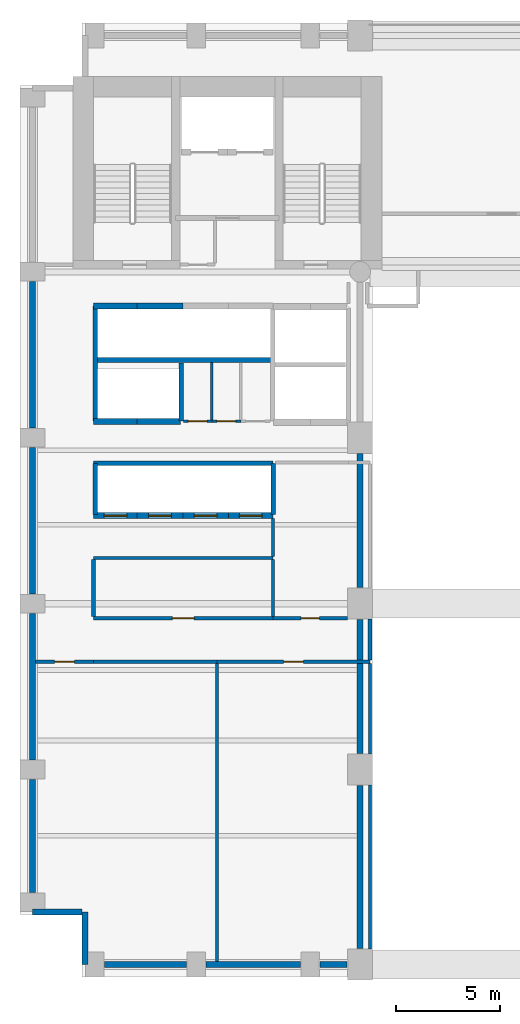
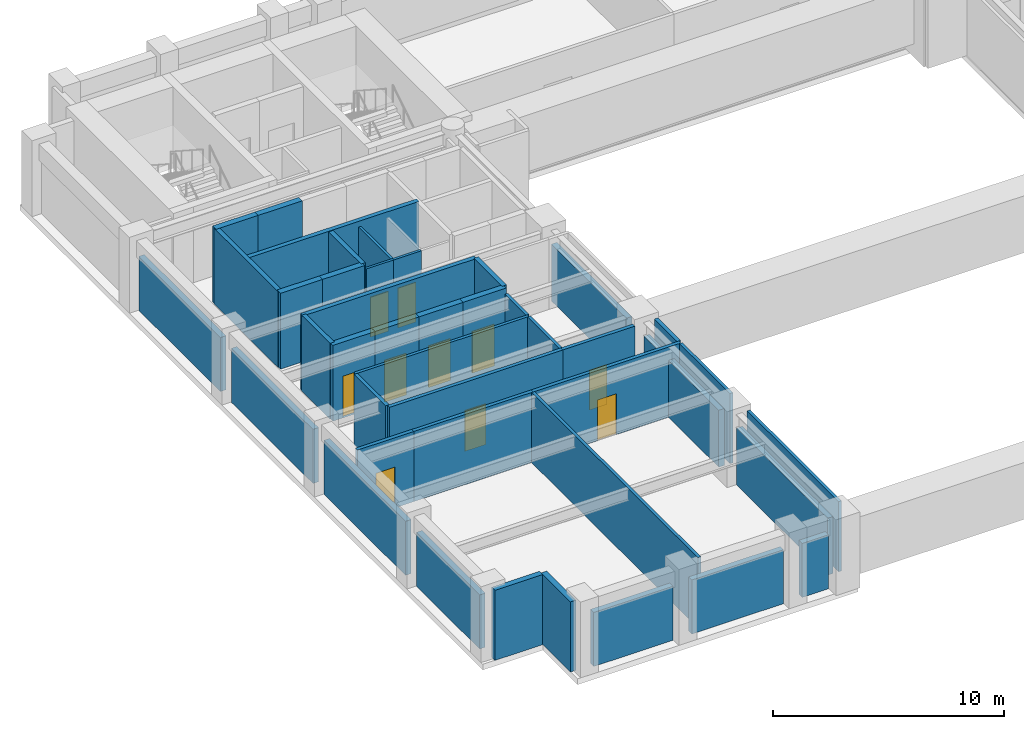
# One storey, part 2 of 8: 42 walls, 10 doors, 10 openings.
"""IFC4 building model written with IfcOpenShell, lengths in metres."""

from ifc_helpers import new_model, si_unit, direction, frame, frame_2d, origin, place, context, subcontext, project, spatial, rectangle, extrude, material, layer, layer_set, type_object, element, fill, save


model = new_model("IFC4")

# Units and contexts
model_context = context("Model", 3, precision=1e-05, world=origin(), true_north=direction((0.0, 1.0)))
body_context = subcontext(model_context, "Body", "Model", "MODEL_VIEW")
ifc_project = project(units=[si_unit("LENGTHUNIT", "METRE"), si_unit("AREAUNIT", "SQUARE_METRE"), si_unit("VOLUMEUNIT", "CUBIC_METRE"), si_unit("PLANEANGLEUNIT", "RADIAN"), si_unit("MASSUNIT", "GRAM", prefix="KILO")], contexts=[model_context])

# Site, building, storey
site_placement = place(None, origin())
site = spatial("IfcSite", under=ifc_project, at=site_placement, CompositionType="ELEMENT")
building_placement = place(site_placement, origin())
building = spatial("IfcBuilding", under=site, at=building_placement, Name="Sulina Concourse Tower", CompositionType="ELEMENT")
storey_placement = place(building_placement, frame((0.0, 0.0, 42.60009765625)))
storey = spatial("IfcBuildingStorey", under=building, at=storey_placement, Name="L10", CompositionType="ELEMENT", Elevation=42.60009765625)

# Walls
ifc_material_1 = material(Name="Concrete C50/60", Category="concrete")
ifc_layer_1 = layer(ifc_material_1, 0.219970703125)
ifc_layer_set_1 = layer_set([ifc_layer_1], Name="Concrete C50/60")
wall_type_1 = type_object("IfcWallType", Name="Core Lift Hoistway Divider Wall 220mm", PredefinedType="SOLIDWALL", material=ifc_layer_set_1)
wall_1_placement = place(storey_placement, frame((3.550048828125, 29.75, 0.0), z_axis=(0.0, 0.0, 1.0), x_axis=(1.0, 0.0, 0.0)))
element("IfcWall", 1, at=wall_1_placement, inside=storey, type_object=wall_type_1, Name="L10 shaft divider wall HW-LP3-S", PredefinedType="SOLIDWALL", context=body_context, shape_type="SweptSolid", body=[
    extrude(rectangle(XDim=8.64990234375, YDim=0.219970703125, at=frame_2d((4.324951171875, 0.0))), origin(), (0.0, 0.0, 1.0), 4.0),
])
wall_2_placement = place(storey_placement, frame((3.6298828125, 26.800048828125, 0.0), z_axis=(0.0, 0.0, 1.0), x_axis=(0.0, 1.0, 0.0)))
element("IfcWall", 2, at=wall_2_placement, inside=storey, type_object=wall_type_1, Name="L10 shaft divider wall HW-LP3-W", PredefinedType="SOLIDWALL", context=body_context, shape_type="SweptSolid", body=[
    extrude(rectangle(XDim=5.550048828125, YDim=0.219970703125, at=frame_2d((2.77490234375, 0.0))), origin(), (0.0, 0.0, 1.0), 4.0),
])
wall_3_placement = place(storey_placement, frame((7.780029296875, 26.800048828125, 0.0), z_axis=(0.0, 0.0, 1.0), x_axis=(0.0, 1.0, 0.0)))
element("IfcWall", 3, at=wall_3_placement, inside=storey, type_object=wall_type_1, Name="L10 shaft divider wall HW-EXP-E", PredefinedType="SOLIDWALL", context=body_context, shape_type="SweptSolid", body=[
    extrude(rectangle(XDim=2.800048828125, YDim=0.219970703125, at=frame_2d((1.39990234375, 0.0))), origin(), (0.0, 0.0, 1.0), 4.0),
])
wall_4_placement = place(storey_placement, frame((3.550048828125, 24.780029296875, 0.0), z_axis=(0.0, 0.0, 1.0), x_axis=(1.0, 0.0, 0.0)))
element("IfcWall", 4, at=wall_4_placement, inside=storey, type_object=wall_type_1, Name="L10 shaft divider wall HW-LP1-N", PredefinedType="SOLIDWALL", context=body_context, shape_type="SweptSolid", body=[
    extrude(rectangle(XDim=8.64990234375, YDim=0.219970703125, at=frame_2d((4.324951171875, 0.0))), origin(), (0.0, 0.0, 1.0), 4.0),
])
for number, where, z_axis, x_axis, name in (
    (5, (3.6298828125, 22.300048828125, 0.0), (0.0, 0.0, 1.0), (0.0, 1.0, 0.0), "L10 shaft divider wall HW-LP1-W"),
    (6, (12.219970703125, 22.300048828125, 0.0), (0.0, 0.0, 1.0), (0.0, 1.0, 0.0), "L10 shaft divider wall HW-LP1-E"),
):
    element("IfcWall", number, at=place(storey_placement, frame(where, z_axis=z_axis, x_axis=x_axis)), inside=storey, type_object=wall_type_1, Name=name, PredefinedType="SOLIDWALL", context=body_context, shape_type="SweptSolid", body=[
        extrude(rectangle(XDim=2.449951171875, YDim=0.219970703125, at=frame_2d((1.22509765625, 0.0))), origin(), (0.0, 0.0, 1.0), 4.0),
    ])

# Wall, opening, door
ifc_material_2 = material(Name="Concrete C50/60", Category="concrete")
ifc_layer_2 = layer(ifc_material_2, 0.300048828125)
ifc_layer_set_2 = layer_set([ifc_layer_2], Name="Concrete C50/60")
wall_type_2 = type_object("IfcWallType", Name="Core Lift Hoistway Wall 300mm", PredefinedType="SOLIDWALL", material=ifc_layer_set_2)
wall_5_placement = place(storey_placement, frame((5.64990234375, 22.25, 0.0), z_axis=(0.0, 0.0, 1.0), x_axis=(-1.0, 0.0, 0.0)))
wall_5 = element("IfcWall", 7, at=wall_5_placement, inside=storey, type_object=wall_type_2, Name="L10 hoistway enclosure wall LP-01", PredefinedType="SOLIDWALL", context=body_context, shape_type="SweptSolid", body=[
    extrude(rectangle(XDim=2.099853515625, YDim=0.300048828125, at=frame_2d((1.0498046875, 0.0))), origin(), (0.0, 0.0, 1.0), 4.0),
])
opening_1_placement = place(wall_5_placement, frame((0.5, 0.0, 0.0)))
opening_1 = element("IfcOpeningElement", 8, at=opening_1_placement, cuts=wall_5, Name="Opening LD-01", PredefinedType="OPENING", context=body_context, shape_type="SweptSolid", body=[
    extrude(rectangle(XDim=1.10009765625, YDim=2.199951171875, at=frame_2d((0.550048828125, 1.10009765625))), frame((0.0, 0.159912109375, 0.0), z_axis=(0.0, -1.0, 0.0), x_axis=(1.0, 0.0, 0.0)), (0.0, 0.0, 1.0), 0.320068359375),
])
ifc_material_3 = material(Name="Stainless steel lift landing door", Category="steel")
ifc_layer_3 = layer(ifc_material_3, 0.050048828125)
ifc_layer_set_3 = layer_set([ifc_layer_3], Name="Stainless steel lift landing door")
door_type_1 = type_object("IfcDoorType", Name="Passenger Lift Sliding Landing Door 1100x2200", OperationType="SLIDING_TO_LEFT", PredefinedType="DOOR", material=ifc_layer_set_3)
door_1_placement = place(opening_1_placement, origin())
door_1 = element("IfcDoor", 9, at=door_1_placement, inside=storey, type_object=door_type_1, Name="L10 lift landing sliding door LP-01", OperationType="SLIDING_TO_LEFT", OverallHeight=2.199951171875, OverallWidth=1.10009765625, PredefinedType="DOOR", context=body_context, shape_type="SweptSolid", body=[
    extrude(rectangle(XDim=1.10009765625, YDim=2.199951171875, at=frame_2d((0.550048828125, 1.10009765625))), frame((0.0, 0.02490234375, 0.0), z_axis=(0.0, -1.0, 0.0), x_axis=(1.0, 0.0, 0.0)), (0.0, 0.0, 1.0), 0.050048828125),
])
fill(opening_1, door_1)

wall_6_placement = place(storey_placement, frame((7.85009765625, 22.25, 0.0), z_axis=(0.0, 0.0, 1.0), x_axis=(-1.0, 0.0, 0.0)))
wall_6 = element("IfcWall", 10, at=wall_6_placement, inside=storey, type_object=wall_type_2, Name="L10 hoistway enclosure wall LP-02", PredefinedType="SOLIDWALL", context=body_context, shape_type="SweptSolid", body=[
    extrude(rectangle(XDim=2.2001953125, YDim=0.300048828125, at=frame_2d((1.10009765625, 0.0))), origin(), (0.0, 0.0, 1.0), 4.0),
])
opening_2_placement = place(wall_6_placement, frame((0.550048828125, 0.0, 0.0)))
opening_2 = element("IfcOpeningElement", 11, at=opening_2_placement, cuts=wall_6, Name="Opening LD-01", PredefinedType="OPENING", context=body_context, shape_type="SweptSolid", body=[
    extrude(rectangle(XDim=1.10009765625, YDim=2.199951171875, at=frame_2d((0.550048828125, 1.10009765625))), frame((0.0, 0.159912109375, 0.0), z_axis=(0.0, -1.0, 0.0), x_axis=(1.0, 0.0, 0.0)), (0.0, 0.0, 1.0), 0.320068359375),
])
door_2_placement = place(opening_2_placement, origin())
door_2 = element("IfcDoor", 12, at=door_2_placement, inside=storey, type_object=door_type_1, Name="L10 lift landing sliding door LP-02", OperationType="SLIDING_TO_RIGHT", OverallHeight=2.199951171875, OverallWidth=1.10009765625, PredefinedType="DOOR", context=body_context, shape_type="SweptSolid", body=[
    extrude(rectangle(XDim=1.10009765625, YDim=2.199951171875, at=frame_2d((0.550048828125, 1.10009765625))), frame((0.0, 0.02490234375, 0.0), z_axis=(0.0, -1.0, 0.0), x_axis=(1.0, 0.0, 0.0)), (0.0, 0.0, 1.0), 0.050048828125),
])
fill(opening_2, door_2)

wall_7_placement = place(storey_placement, frame((10.050048828125, 22.25, 0.0), z_axis=(0.0, 0.0, 1.0), x_axis=(-1.0, 0.0, 0.0)))
wall_7 = element("IfcWall", 13, at=wall_7_placement, inside=storey, type_object=wall_type_2, Name="L10 hoistway enclosure wall LP-03", PredefinedType="SOLIDWALL", context=body_context, shape_type="SweptSolid", body=[
    extrude(rectangle(XDim=2.199951171875, YDim=0.300048828125, at=frame_2d((1.10009765625, 0.0))), origin(), (0.0, 0.0, 1.0), 4.0),
])
opening_3_placement = place(wall_7_placement, frame((0.550048828125, 0.0, 0.0)))
opening_3 = element("IfcOpeningElement", 14, at=opening_3_placement, cuts=wall_7, Name="Opening LD-01", PredefinedType="OPENING", context=body_context, shape_type="SweptSolid", body=[
    extrude(rectangle(XDim=1.10009765625, YDim=2.199951171875, at=frame_2d((0.550048828125, 1.10009765625))), frame((0.0, 0.159912109375, 0.0), z_axis=(0.0, -1.0, 0.0), x_axis=(1.0, 0.0, 0.0)), (0.0, 0.0, 1.0), 0.320068359375),
])
door_3_placement = place(opening_3_placement, origin())
door_3 = element("IfcDoor", 15, at=door_3_placement, inside=storey, type_object=door_type_1, Name="L10 lift landing sliding door LP-03", OperationType="SLIDING_TO_LEFT", OverallHeight=2.199951171875, OverallWidth=1.10009765625, PredefinedType="DOOR", context=body_context, shape_type="SweptSolid", body=[
    extrude(rectangle(XDim=1.10009765625, YDim=2.199951171875, at=frame_2d((0.550048828125, 1.10009765625))), frame((0.0, 0.02490234375, 0.0), z_axis=(0.0, -1.0, 0.0), x_axis=(1.0, 0.0, 0.0)), (0.0, 0.0, 1.0), 0.050048828125),
])
fill(opening_3, door_3)

wall_8_placement = place(storey_placement, frame((12.199951171875, 22.25, 0.0), z_axis=(0.0, 0.0, 1.0), x_axis=(-1.0, 0.0, 0.0)))
wall_8 = element("IfcWall", 16, at=wall_8_placement, inside=storey, type_object=wall_type_2, Name="L10 hoistway enclosure wall LP-04", PredefinedType="SOLIDWALL", context=body_context, shape_type="SweptSolid", body=[
    extrude(rectangle(XDim=2.14990234375, YDim=0.300048828125, at=frame_2d((1.074951171875, 0.0))), origin(), (0.0, 0.0, 1.0), 4.0),
])
opening_4_placement = place(wall_8_placement, frame((0.52490234375, 0.0, 0.0)))
opening_4 = element("IfcOpeningElement", 17, at=opening_4_placement, cuts=wall_8, Name="Opening LD-01", PredefinedType="OPENING", context=body_context, shape_type="SweptSolid", body=[
    extrude(rectangle(XDim=1.10009765625, YDim=2.199951171875, at=frame_2d((0.550048828125, 1.10009765625))), frame((0.0, 0.159912109375, 0.0), z_axis=(0.0, -1.0, 0.0), x_axis=(1.0, 0.0, 0.0)), (0.0, 0.0, 1.0), 0.320068359375),
])
door_4_placement = place(opening_4_placement, origin())
door_4 = element("IfcDoor", 18, at=door_4_placement, inside=storey, type_object=door_type_1, Name="L10 lift landing sliding door LP-04", OperationType="SLIDING_TO_RIGHT", OverallHeight=2.199951171875, OverallWidth=1.10009765625, PredefinedType="DOOR", context=body_context, shape_type="SweptSolid", body=[
    extrude(rectangle(XDim=1.10009765625, YDim=2.199951171875, at=frame_2d((0.550048828125, 1.10009765625))), frame((0.0, 0.02490234375, 0.0), z_axis=(0.0, -1.0, 0.0), x_axis=(1.0, 0.0, 0.0)), (0.0, 0.0, 1.0), 0.050048828125),
])
fill(opening_4, door_4)

# Walls
wall_9_placement = place(storey_placement, frame((3.550048828125, 32.35009765625, 0.0), z_axis=(0.0, 0.0, 1.0), x_axis=(1.0, 0.0, 0.0)))
element("IfcWall", 19, at=wall_9_placement, inside=storey, type_object=wall_type_2, Name="L10 hoistway enclosure wall LP-09", PredefinedType="SOLIDWALL", context=body_context, shape_type="SweptSolid", body=[
    extrude(rectangle(XDim=2.099853515625, YDim=0.300048828125, at=frame_2d((1.0498046875, 0.0))), origin(), (0.0, 0.0, 1.0), 4.0),
])
wall_10_placement = place(storey_placement, frame((5.64990234375, 32.35009765625, 0.0), z_axis=(0.0, 0.0, 1.0), x_axis=(1.0, 0.0, 0.0)))
element("IfcWall", 20, at=wall_10_placement, inside=storey, type_object=wall_type_2, Name="L10 hoistway enclosure wall LP-10", PredefinedType="SOLIDWALL", context=body_context, shape_type="SweptSolid", body=[
    extrude(rectangle(XDim=2.2001953125, YDim=0.300048828125, at=frame_2d((1.10009765625, 0.0))), origin(), (0.0, 0.0, 1.0), 4.0),
])
wall_11_placement = place(storey_placement, frame((5.64990234375, 26.780029296875, 0.0), z_axis=(0.0, 0.0, 1.0), x_axis=(-1.0, 0.0, 0.0)))
element("IfcWall", 21, at=wall_11_placement, inside=storey, type_object=wall_type_2, Name="L10 hoistway enclosure wall EXP-1", PredefinedType="SOLIDWALL", context=body_context, shape_type="SweptSolid", body=[
    extrude(rectangle(XDim=2.099853515625, YDim=0.300048828125, at=frame_2d((1.0498046875, 0.0))), origin(), (0.0, 0.0, 1.0), 4.0),
])
wall_12_placement = place(storey_placement, frame((7.75, 26.780029296875, 0.0), z_axis=(0.0, 0.0, 1.0), x_axis=(-1.0, 0.0, 0.0)))
element("IfcWall", 22, at=wall_12_placement, inside=storey, type_object=wall_type_2, Name="L10 hoistway enclosure wall EXP-2", PredefinedType="SOLIDWALL", context=body_context, shape_type="SweptSolid", body=[
    extrude(rectangle(XDim=2.10009765625, YDim=0.300048828125, at=frame_2d((1.050048828125, 0.0))), origin(), (0.0, 0.0, 1.0), 4.0),
])
ifc_material_4 = material(Name="Gypsum board on steel stud", Category="steel")
ifc_layer_4 = layer(ifc_material_4, 0.14990234375)
ifc_layer_set_4 = layer_set([ifc_layer_4], Name="Gypsum board on steel stud")
wall_type_3 = type_object("IfcWallType", Name="Inter-Tenancy Acoustic Partition 150mm", PredefinedType="PARTITIONING", material=ifc_layer_set_4)
wall_13_placement = place(storey_placement, frame((3.550048828125, 20.199951171875, 0.0), z_axis=(0.0, 0.0, 1.0), x_axis=(1.0, 0.0, 0.0)))
element("IfcWall", 23, at=wall_13_placement, inside=storey, type_object=wall_type_3, Name="L10 interior partition 009", PredefinedType="PARTITIONING", context=body_context, shape_type="SweptSolid", body=[
    extrude(rectangle(XDim=8.64990234375, YDim=0.14990234375, at=frame_2d((4.324951171875, 0.0))), origin(), (0.0, 0.0, 1.0), 3.699951171875),
])
wall_14_placement = place(storey_placement, frame((9.5, 0.739990234375, 0.0), z_axis=(0.0, 0.0, 1.0), x_axis=(0.0, 1.0, 0.0)))
element("IfcWall", 24, at=wall_14_placement, inside=storey, type_object=wall_type_3, Name="L10 interior partition 029", PredefinedType="PARTITIONING", context=body_context, shape_type="SweptSolid", body=[
    extrude(rectangle(XDim=14.3701171875, YDim=0.14990234375, at=frame_2d((7.18505859375, 0.0))), origin(), (0.0, 0.0, 1.0), 3.699951171875),
])
wall_15_placement = place(storey_placement, frame((12.199951171875, 17.389892578125, 0.0), z_axis=(0.0, 0.0, 1.0), x_axis=(0.0, 1.0, 0.0)))
element("IfcWall", 25, at=wall_15_placement, inside=storey, type_object=wall_type_3, Name="L10 interior partition 031", PredefinedType="PARTITIONING", context=body_context, shape_type="SweptSolid", body=[
    extrude(rectangle(XDim=2.735107421875, YDim=0.14990234375, at=frame_2d((1.36767578125, 0.0))), origin(), (0.0, 0.0, 1.0), 3.699951171875),
])
wall_16_placement = place(storey_placement, frame((12.199951171875, 20.27490234375, 0.0), z_axis=(0.0, 0.0, 1.0), x_axis=(0.0, 1.0, 0.0)))
element("IfcWall", 26, at=wall_16_placement, inside=storey, type_object=wall_type_3, Name="L10 interior partition 032", PredefinedType="PARTITIONING", context=body_context, shape_type="SweptSolid", body=[
    extrude(rectangle(XDim=1.8251953125, YDim=0.14990234375, at=frame_2d((0.91259765625, 0.0))), origin(), (0.0, 0.0, 1.0), 3.699951171875),
])
wall_17_placement = place(storey_placement, frame((16.8798828125, 1.35009765625, 0.0), z_axis=(0.0, 0.0, 1.0), x_axis=(0.0, 1.0, 0.0)))
element("IfcWall", 27, at=wall_17_placement, inside=storey, type_object=wall_type_3, Name="L10 interior partition 035", PredefinedType="PARTITIONING", context=body_context, shape_type="SweptSolid", body=[
    extrude(rectangle(XDim=7.89990234375, YDim=0.14990234375, at=frame_2d((3.949951171875, 0.0))), origin(), (0.0, 0.0, 1.0), 3.699951171875),
])
wall_18_placement = place(storey_placement, frame((16.8798828125, 10.75, 0.0), z_axis=(0.0, 0.0, 1.0), x_axis=(0.0, 1.0, 0.0)))
element("IfcWall", 28, at=wall_18_placement, inside=storey, type_object=wall_type_3, Name="L10 interior partition 036", PredefinedType="PARTITIONING", context=body_context, shape_type="SweptSolid", body=[
    extrude(rectangle(XDim=4.360107421875, YDim=0.14990234375, at=frame_2d((2.18017578125, 0.0))), origin(), (0.0, 0.0, 1.0), 3.699951171875),
])

# Wall, opening, door
ifc_material_5 = material(Name="Gypsum board on steel stud", Category="steel")
ifc_layer_5 = layer(ifc_material_5, 0.179931640625)
ifc_layer_set_5 = layer_set([ifc_layer_5], Name="Gypsum board on steel stud")
wall_type_4 = type_object("IfcWallType", Name="Protected Corridor & Riser Partition 180mm", PredefinedType="PARTITIONING", material=ifc_layer_set_5)
wall_19_placement = place(storey_placement, frame((0.739990234375, 15.199951171875, 0.0), z_axis=(0.0, 0.0, 1.0), x_axis=(1.0, 0.0, 0.0)))
wall_19 = element("IfcWall", 29, at=wall_19_placement, inside=storey, type_object=wall_type_4, Name="L10 interior partition 003", PredefinedType="PARTITIONING", context=body_context, shape_type="SweptSolid", body=[
    extrude(rectangle(XDim=2.81005859375, YDim=0.179931640625, at=frame_2d((1.405029296875, 0.0))), origin(), (0.0, 0.0, 1.0), 3.699951171875),
])
opening_5_placement = place(wall_19_placement, frame((0.929931640625, 0.0, 0.0)))
opening_5 = element("IfcOpeningElement", 30, at=opening_5_placement, cuts=wall_19, Name="Opening DR-19", PredefinedType="OPENING", context=body_context, shape_type="SweptSolid", body=[
    extrude(rectangle(XDim=0.949951171875, YDim=2.14990234375, at=frame_2d((0.47509765625, 1.074951171875))), frame((0.0, 0.099853515625, 0.0), z_axis=(0.0, -1.0, 0.0), x_axis=(1.0, 0.0, 0.0)), (0.0, 0.0, 1.0), 0.199951171875),
])
ifc_material_6 = material(Name="Oak-veneered acoustic timber leaf", Category="wood")
ifc_layer_6 = layer(ifc_material_6, 0.050048828125)
ifc_layer_set_6 = layer_set([ifc_layer_6], Name="Oak-veneered acoustic timber leaf")
door_type_2 = type_object("IfcDoorType", Name="Cellular Office & Meeting Door 950x2150", OperationType="NOTDEFINED", PredefinedType="DOOR", material=ifc_layer_set_6)
door_5_placement = place(opening_5_placement, origin())
door_5 = element("IfcDoor", 31, at=door_5_placement, inside=storey, type_object=door_type_2, Name="L10 interior door L10-OFF-W1", OperationType="SINGLE_SWING_LEFT", OverallHeight=2.14990234375, OverallWidth=0.949951171875, PredefinedType="DOOR", context=body_context, shape_type="SweptSolid", body=[
    extrude(rectangle(XDim=0.949951171875, YDim=2.14990234375, at=frame_2d((0.47509765625, 1.074951171875))), frame((0.0, 0.02490234375, 0.0), z_axis=(0.0, -1.0, 0.0), x_axis=(1.0, 0.0, 0.0)), (0.0, 0.0, 1.0), 0.050048828125),
])
fill(opening_5, door_5)

# Wall
wall_20_placement = place(storey_placement, frame((3.550048828125, 15.199951171875, 0.0), z_axis=(0.0, 0.0, 1.0), x_axis=(1.0, 0.0, 0.0)))
element("IfcWall", 32, at=wall_20_placement, inside=storey, type_object=wall_type_4, Name="L10 interior partition 004", PredefinedType="PARTITIONING", context=body_context, shape_type="SweptSolid", body=[
    extrude(rectangle(XDim=5.949951171875, YDim=0.179931640625, at=frame_2d((2.97509765625, 0.0))), origin(), (0.0, 0.0, 1.0), 3.699951171875),
])

# Wall, opening, door
wall_21_placement = place(storey_placement, frame((9.5, 15.199951171875, 0.0), z_axis=(0.0, 0.0, 1.0), x_axis=(1.0, 0.0, 0.0)))
wall_21 = element("IfcWall", 33, at=wall_21_placement, inside=storey, type_object=wall_type_4, Name="L10 interior partition 005", PredefinedType="PARTITIONING", context=body_context, shape_type="SweptSolid", body=[
    extrude(rectangle(XDim=7.3798828125, YDim=0.179931640625, at=frame_2d((3.68994140625, 0.0))), origin(), (0.0, 0.0, 1.0), 3.699951171875),
])
opening_6_placement = place(wall_21_placement, frame((3.215087890625, 0.0, 0.0)))
opening_6 = element("IfcOpeningElement", 34, at=opening_6_placement, cuts=wall_21, Name="Opening DR-19", PredefinedType="OPENING", context=body_context, shape_type="SweptSolid", body=[
    extrude(rectangle(XDim=0.949951171875, YDim=2.14990234375, at=frame_2d((0.47509765625, 1.074951171875))), frame((0.0, 0.099853515625, 0.0), z_axis=(0.0, -1.0, 0.0), x_axis=(1.0, 0.0, 0.0)), (0.0, 0.0, 1.0), 0.199951171875),
])
door_6_placement = place(opening_6_placement, origin())
door_6 = element("IfcDoor", 35, at=door_6_placement, inside=storey, type_object=door_type_2, Name="L10 interior door L10-MTG-W1", OperationType="SINGLE_SWING_RIGHT", OverallHeight=2.14990234375, OverallWidth=0.949951171875, PredefinedType="DOOR", context=body_context, shape_type="SweptSolid", body=[
    extrude(rectangle(XDim=0.949951171875, YDim=2.14990234375, at=frame_2d((0.47509765625, 1.074951171875))), frame((0.0, 0.02490234375, 0.0), z_axis=(0.0, -1.0, 0.0), x_axis=(1.0, 0.0, 0.0)), (0.0, 0.0, 1.0), 0.050048828125),
])
fill(opening_6, door_6)

wall_22_placement = place(storey_placement, frame((3.550048828125, 17.300048828125, 0.0), z_axis=(0.0, 0.0, 1.0), x_axis=(1.0, 0.0, 0.0)))
wall_22 = element("IfcWall", 36, at=wall_22_placement, inside=storey, type_object=wall_type_4, Name="L10 interior partition 006", PredefinedType="PARTITIONING", context=body_context, shape_type="SweptSolid", body=[
    extrude(rectangle(XDim=8.64990234375, YDim=0.179931640625, at=frame_2d((4.324951171875, 0.0))), origin(), (0.0, 0.0, 1.0), 3.699951171875),
])
opening_7_placement = place(wall_22_placement, frame((3.800048828125, 0.0, 0.0)))
opening_7 = element("IfcOpeningElement", 37, at=opening_7_placement, cuts=wall_22, Name="Opening DR-37", PredefinedType="OPENING", context=body_context, shape_type="SweptSolid", body=[
    extrude(rectangle(XDim=1.050048828125, YDim=2.14990234375, at=frame_2d((0.52490234375, 1.074951171875))), frame((0.0, 0.099853515625, 0.0), z_axis=(0.0, -1.0, 0.0), x_axis=(1.0, 0.0, 0.0)), (0.0, 0.0, 1.0), 0.199951171875),
])
ifc_material_7 = material(Name="Oak-veneered fire door leaf")
ifc_layer_7 = layer(ifc_material_7, 0.050048828125)
ifc_layer_set_7 = layer_set([ifc_layer_7], Name="Oak-veneered fire door leaf")
door_type_3 = type_object("IfcDoorType", Name="Tenant Suite Entrance Fire Door 1050x2150", OperationType="NOTDEFINED", PredefinedType="DOOR", material=ifc_layer_set_7)
door_7_placement = place(opening_7_placement, origin())
door_7 = element("IfcDoor", 38, at=door_7_placement, inside=storey, type_object=door_type_3, Name="L10 interior door L10-PNT-W0", OperationType="SINGLE_SWING_LEFT", OverallHeight=2.14990234375, OverallWidth=1.050048828125, PredefinedType="DOOR", context=body_context, shape_type="SweptSolid", body=[
    extrude(rectangle(XDim=1.050048828125, YDim=2.14990234375, at=frame_2d((0.52490234375, 1.074951171875))), frame((0.0, 0.02490234375, 0.0), z_axis=(0.0, -1.0, 0.0), x_axis=(1.0, 0.0, 0.0)), (0.0, 0.0, 1.0), 0.050048828125),
])
fill(opening_7, door_7)

wall_23_placement = place(storey_placement, frame((12.199951171875, 17.300048828125, 0.0), z_axis=(0.0, 0.0, 1.0), x_axis=(1.0, 0.0, 0.0)))
wall_23 = element("IfcWall", 39, at=wall_23_placement, inside=storey, type_object=wall_type_4, Name="L10 interior partition 007", PredefinedType="PARTITIONING", context=body_context, shape_type="SweptSolid", body=[
    extrude(rectangle(XDim=3.60009765625, YDim=0.179931640625, at=frame_2d((1.800048828125, 0.0))), origin(), (0.0, 0.0, 1.0), 3.699951171875),
])
opening_8_placement = place(wall_23_placement, frame((1.360107421875, 0.0, 0.0)))
opening_8 = element("IfcOpeningElement", 40, at=opening_8_placement, cuts=wall_23, Name="Opening DR-38", PredefinedType="OPENING", context=body_context, shape_type="SweptSolid", body=[
    extrude(rectangle(XDim=0.8798828125, YDim=2.10009765625, at=frame_2d((0.43994140625, 1.050048828125))), frame((0.0, 0.099853515625, 0.0), z_axis=(0.0, -1.0, 0.0), x_axis=(1.0, 0.0, 0.0)), (0.0, 0.0, 1.0), 0.199951171875),
])
ifc_material_8 = material(Name="Galvanised steel acoustic fire leaf", Category="steel")
ifc_layer_8 = layer(ifc_material_8, 0.050048828125)
ifc_layer_set_8 = layer_set([ifc_layer_8], Name="Galvanised steel acoustic fire leaf")
door_type_4 = type_object("IfcDoorType", Name="Service Riser Fire Door 880x2100", OperationType="NOTDEFINED", PredefinedType="DOOR", material=ifc_layer_set_8)
door_8_placement = place(opening_8_placement, origin())
door_8 = element("IfcDoor", 41, at=door_8_placement, inside=storey, type_object=door_type_4, Name="L10 interior door L10-STR-W0", OperationType="SINGLE_SWING_RIGHT", OverallHeight=2.10009765625, OverallWidth=0.8798828125, PredefinedType="DOOR", context=body_context, shape_type="SweptSolid", body=[
    extrude(rectangle(XDim=0.8798828125, YDim=2.10009765625, at=frame_2d((0.43994140625, 1.050048828125))), frame((0.0, 0.02490234375, 0.0), z_axis=(0.0, -1.0, 0.0), x_axis=(1.0, 0.0, 0.0)), (0.0, 0.0, 1.0), 0.050048828125),
])
fill(opening_8, door_8)

# Walls
wall_24_placement = place(storey_placement, frame((3.550048828125, 17.389892578125, 0.0), z_axis=(0.0, 0.0, 1.0), x_axis=(0.0, 1.0, 0.0)))
element("IfcWall", 42, at=wall_24_placement, inside=storey, type_object=wall_type_4, Name="L10 interior partition 026", PredefinedType="PARTITIONING", context=body_context, shape_type="SweptSolid", body=[
    extrude(rectangle(XDim=2.735107421875, YDim=0.179931640625, at=frame_2d((1.36767578125, 0.0))), origin(), (0.0, 0.0, 1.0), 3.699951171875),
])
wall_25_placement = place(storey_placement, frame((16.8798828125, 15.2900390625, 0.0), z_axis=(0.0, 0.0, 1.0), x_axis=(0.0, 1.0, 0.0)))
element("IfcWall", 43, at=wall_25_placement, inside=storey, type_object=wall_type_4, Name="L10 interior partition 037", PredefinedType="PARTITIONING", context=body_context, shape_type="SweptSolid", body=[
    extrude(rectangle(XDim=1.9599609375, YDim=0.179931640625, at=frame_2d((0.97998046875, 0.0))), origin(), (0.0, 0.0, 1.0), 3.699951171875),
])
ifc_material_9 = material(Name="Precast concrete C50/60", Category="concrete")
ifc_layer_9 = layer(ifc_material_9, 0.280029296875)
ifc_layer_set_9 = layer_set([ifc_layer_9], Name="Precast concrete C50/60")
wall_type_5 = type_object("IfcWallType", Name="Typical Precast Masonry-Frame Facade Wall 280mm", PredefinedType="SOLIDWALL", material=ifc_layer_set_9)
wall_26_placement = place(storey_placement, frame((8.030029296875, 0.60009765625, 0.0), z_axis=(0.0, 0.0, 1.0), x_axis=(-1.0, 0.0, 0.0)))
element("IfcWall", 44, at=wall_26_placement, inside=storey, type_object=wall_type_5, Name="L10 exterior precast wall S1", PredefinedType="SOLIDWALL", context=body_context, shape_type="SweptSolid", body=[
    extrude(rectangle(XDim=3.9599609375, YDim=0.280029296875, at=frame_2d((1.97998046875, 0.0))), origin(), (0.0, 0.0, 1.0), 2.849853515625),
])
wall_27_placement = place(storey_placement, frame((13.530029296875, 0.60009765625, 0.0), z_axis=(0.0, 0.0, 1.0), x_axis=(-1.0, 0.0, 0.0)))
element("IfcWall", 45, at=wall_27_placement, inside=storey, type_object=wall_type_5, Name="L10 exterior precast wall S2", PredefinedType="SOLIDWALL", context=body_context, shape_type="SweptSolid", body=[
    extrude(rectangle(XDim=4.56005859375, YDim=0.280029296875, at=frame_2d((2.280029296875, 0.0))), origin(), (0.0, 0.0, 1.0), 2.849853515625),
])
wall_28_placement = place(storey_placement, frame((15.780029296875, 0.60009765625, 0.0), z_axis=(0.0, 0.0, 1.0), x_axis=(-1.0, 0.0, 0.0)))
element("IfcWall", 46, at=wall_28_placement, inside=storey, type_object=wall_type_5, Name="L10 exterior precast wall S3", PredefinedType="SOLIDWALL", context=body_context, shape_type="SweptSolid", body=[
    extrude(rectangle(XDim=1.31005859375, YDim=0.280029296875, at=frame_2d((0.655029296875, 0.0))), origin(), (0.0, 0.0, 1.0), 2.849853515625),
])
wall_29_placement = place(storey_placement, frame((0.60009765625, 4.070068359375, 0.0), z_axis=(0.0, 0.0, 1.0), x_axis=(0.0, 1.0, 0.0)))
element("IfcWall", 47, at=wall_29_placement, inside=storey, type_object=wall_type_5, Name="L10 exterior precast wall W1", PredefinedType="SOLIDWALL", context=body_context, shape_type="SweptSolid", body=[
    extrude(rectangle(XDim=5.4599609375, YDim=0.280029296875, at=frame_2d((2.72998046875, 0.0))), origin(), (0.0, 0.0, 1.0), 2.849853515625),
])
for number, where, z_axis, x_axis, name in (
    (48, (0.60009765625, 10.469970703125, 0.0), (0.0, 0.0, 1.0), (0.0, 1.0, 0.0), "L10 exterior precast wall W2"),
    (49, (0.60009765625, 18.469970703125, 0.0), (0.0, 0.0, 1.0), (0.0, 1.0, 0.0), "L10 exterior precast wall W3"),
    (50, (0.60009765625, 26.469970703125, 0.0), (0.0, 0.0, 1.0), (0.0, 1.0, 0.0), "L10 exterior precast wall W4"),
):
    element("IfcWall", number, at=place(storey_placement, frame(where, z_axis=z_axis, x_axis=x_axis)), inside=storey, type_object=wall_type_5, Name=name, PredefinedType="SOLIDWALL", context=body_context, shape_type="SweptSolid", body=[
        extrude(rectangle(XDim=7.06005859375, YDim=0.280029296875, at=frame_2d((3.530029296875, 0.0))), origin(), (0.0, 0.0, 1.0), 2.849853515625),
    ])
wall_30_placement = place(storey_placement, frame((3.1298828125, 0.60009765625, 0.0), z_axis=(0.0, 0.0, 1.0), x_axis=(0.0, 1.0, 0.0)))
element("IfcWall", 51, at=wall_30_placement, inside=storey, type_object=wall_type_5, Name="L10 exterior precast wall CSW1", PredefinedType="SOLIDWALL", context=body_context, shape_type="SweptSolid", body=[
    extrude(rectangle(XDim=2.52978515625, YDim=0.280029296875, at=frame_2d((1.264892578125, 0.0))), origin(), (0.0, 0.0, 1.0), 3.699951171875),
])
wall_31_placement = place(storey_placement, frame((2.985107421875, 3.1298828125, 0.0), z_axis=(0.0, 0.0, 1.0), x_axis=(-1.0, 0.0, 0.0)))
element("IfcWall", 52, at=wall_31_placement, inside=storey, type_object=wall_type_5, Name="L10 exterior precast wall CSW2", PredefinedType="SOLIDWALL", context=body_context, shape_type="SweptSolid", body=[
    extrude(rectangle(XDim=2.385009765625, YDim=0.280029296875, at=frame_2d((1.1923828125, 0.0))), origin(), (0.0, 0.0, 1.0), 3.699951171875),
])
wall_32_placement = place(storey_placement, frame((16.39990234375, 9.22998046875, 0.0), z_axis=(0.0, 0.0, 1.0), x_axis=(0.0, -1.0, 0.0)))
element("IfcWall", 53, at=wall_32_placement, inside=storey, type_object=wall_type_5, Name="L10 exterior precast wall PW1", PredefinedType="SOLIDWALL", context=body_context, shape_type="SweptSolid", body=[
    extrude(rectangle(XDim=7.85986328125, YDim=0.280029296875, at=frame_2d((3.929931640625, 0.0))), origin(), (0.0, 0.0, 1.0), 3.0),
])
for number, where, z_axis, x_axis, name in (
    (54, (16.39990234375, 17.22998046875, 0.0), (0.0, 0.0, 1.0), (0.0, -1.0, 0.0), "L10 exterior precast wall PW2"),
    (55, (16.39990234375, 25.22998046875, 0.0), (0.0, 0.0, 1.0), (0.0, -1.0, 0.0), "L10 exterior precast wall PW3"),
):
    element("IfcWall", number, at=place(storey_placement, frame(where, z_axis=z_axis, x_axis=x_axis)), inside=storey, type_object=wall_type_5, Name=name, PredefinedType="SOLIDWALL", context=body_context, shape_type="SweptSolid", body=[
        extrude(rectangle(XDim=6.4599609375, YDim=0.280029296875, at=frame_2d((3.22998046875, 0.0))), origin(), (0.0, 0.0, 1.0), 3.0),
    ])

# Wall, opening, door
ifc_material_10 = material(Name="Gypsum board on steel stud", Category="steel")
ifc_layer_10 = layer(ifc_material_10, 0.125)
ifc_layer_set_10 = layer_set([ifc_layer_10], Name="Gypsum board on steel stud")
wall_type_6 = type_object("IfcWallType", Name="Wet-Area Moisture-Resistant Partition 125mm", PredefinedType="PARTITIONING", material=ifc_layer_set_10)
wall_33_placement = place(storey_placement, frame((7.889892578125, 26.800048828125, 0.0), z_axis=(0.0, 0.0, 1.0), x_axis=(1.0, 0.0, 0.0)))
wall_33 = element("IfcWall", 56, at=wall_33_placement, inside=storey, type_object=wall_type_6, Name="L10 interior partition 012", PredefinedType="PARTITIONING", context=body_context, shape_type="SweptSolid", body=[
    extrude(rectangle(XDim=1.360107421875, YDim=0.125, at=frame_2d((0.68017578125, 0.0))), origin(), (0.0, 0.0, 1.0), 3.699951171875),
])
opening_9_placement = place(wall_33_placement, frame((0.22998046875, 0.0, 0.0)))
opening_9 = element("IfcOpeningElement", 57, at=opening_9_placement, cuts=wall_33, Name="Opening DR-21", PredefinedType="OPENING", context=body_context, shape_type="SweptSolid", body=[
    extrude(rectangle(XDim=0.89990234375, YDim=2.10009765625, at=frame_2d((0.449951171875, 1.050048828125))), frame((0.0, 0.072509765625, 0.0), z_axis=(0.0, -1.0, 0.0), x_axis=(1.0, 0.0, 0.0)), (0.0, 0.0, 1.0), 0.14501953125),
])
ifc_material_11 = material(Name="Oak-veneered fire door leaf")
ifc_layer_11 = layer(ifc_material_11, 0.050048828125)
ifc_layer_set_11 = layer_set([ifc_layer_11], Name="Oak-veneered fire door leaf")
door_type_5 = type_object("IfcDoorType", Name="Restroom & Service Door 900x2100", OperationType="NOTDEFINED", PredefinedType="DOOR", material=ifc_layer_set_11)
door_9_placement = place(opening_9_placement, origin())
door_9 = element("IfcDoor", 58, at=door_9_placement, inside=storey, type_object=door_type_5, Name="L10 interior door L10-WC-M", OperationType="SINGLE_SWING_LEFT", OverallHeight=2.10009765625, OverallWidth=0.89990234375, PredefinedType="DOOR", context=body_context, shape_type="SweptSolid", body=[
    extrude(rectangle(XDim=0.89990234375, YDim=2.10009765625, at=frame_2d((0.449951171875, 1.050048828125))), frame((0.0, 0.02490234375, 0.0), z_axis=(0.0, -1.0, 0.0), x_axis=(1.0, 0.0, 0.0)), (0.0, 0.0, 1.0), 0.050048828125),
])
fill(opening_9, door_9)

wall_34_placement = place(storey_placement, frame((9.25, 26.800048828125, 0.0), z_axis=(0.0, 0.0, 1.0), x_axis=(1.0, 0.0, 0.0)))
wall_34 = element("IfcWall", 59, at=wall_34_placement, inside=storey, type_object=wall_type_6, Name="L10 interior partition 013", PredefinedType="PARTITIONING", context=body_context, shape_type="SweptSolid", body=[
    extrude(rectangle(XDim=1.39990234375, YDim=0.125, at=frame_2d((0.699951171875, 0.0))), origin(), (0.0, 0.0, 1.0), 3.699951171875),
])
opening_10_placement = place(wall_34_placement, frame((0.25, 0.0, 0.0)))
opening_10 = element("IfcOpeningElement", 60, at=opening_10_placement, cuts=wall_34, Name="Opening DR-21", PredefinedType="OPENING", context=body_context, shape_type="SweptSolid", body=[
    extrude(rectangle(XDim=0.89990234375, YDim=2.10009765625, at=frame_2d((0.449951171875, 1.050048828125))), frame((0.0, 0.072509765625, 0.0), z_axis=(0.0, -1.0, 0.0), x_axis=(1.0, 0.0, 0.0)), (0.0, 0.0, 1.0), 0.14501953125),
])
door_10_placement = place(opening_10_placement, origin())
door_10 = element("IfcDoor", 61, at=door_10_placement, inside=storey, type_object=door_type_5, Name="L10 interior door L10-WC-F", OperationType="SINGLE_SWING_RIGHT", OverallHeight=2.10009765625, OverallWidth=0.89990234375, PredefinedType="DOOR", context=body_context, shape_type="SweptSolid", body=[
    extrude(rectangle(XDim=0.89990234375, YDim=2.10009765625, at=frame_2d((0.449951171875, 1.050048828125))), frame((0.0, 0.02490234375, 0.0), z_axis=(0.0, -1.0, 0.0), x_axis=(1.0, 0.0, 0.0)), (0.0, 0.0, 1.0), 0.050048828125),
])
fill(opening_10, door_10)

# Wall
wall_35_placement = place(storey_placement, frame((9.25, 26.862548828125, 0.0), z_axis=(0.0, 0.0, 1.0), x_axis=(0.0, 1.0, 0.0)))
element("IfcWall", 62, at=wall_35_placement, inside=storey, type_object=wall_type_6, Name="L10 interior partition 027", PredefinedType="PARTITIONING", context=body_context, shape_type="SweptSolid", body=[
    extrude(rectangle(XDim=2.77734375, YDim=0.125, at=frame_2d((1.388671875, 0.0))), origin(), (0.0, 0.0, 1.0), 3.699951171875),
])

save(model, "model.ifc")
